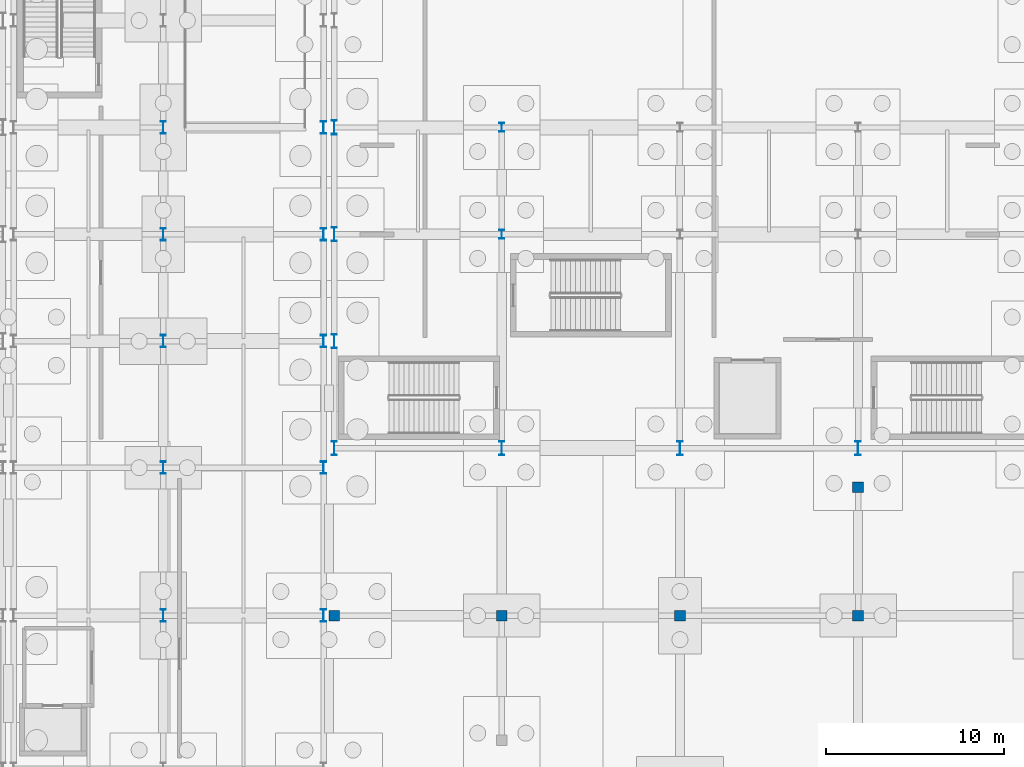
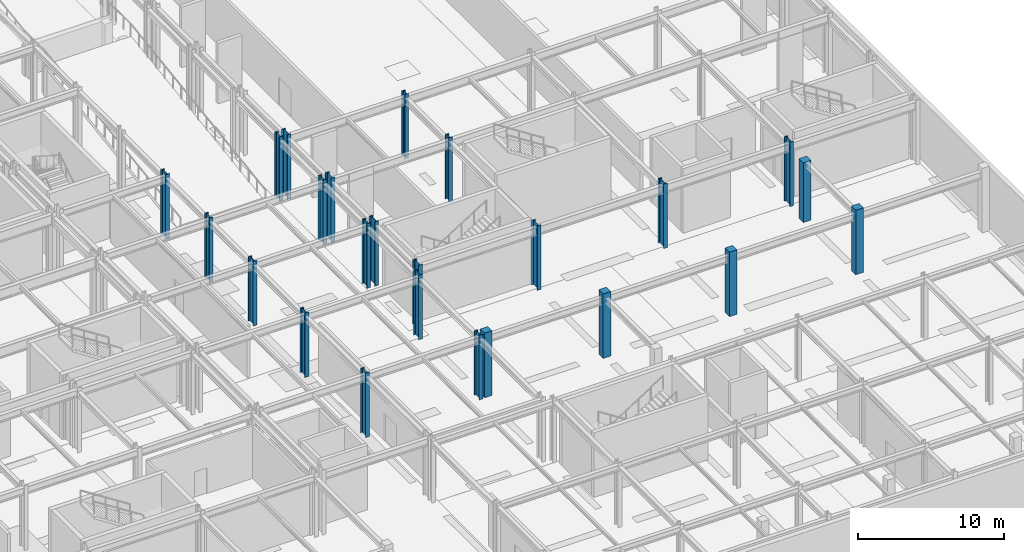
# One storey, part 28 of 65: 24 columns.
"""IFC4 building model written with IfcOpenShell, lengths in metres."""

from ifc_helpers import new_model, si_unit, direction, frame, origin, origin_2d, place, context, subcontext, project, spatial, rectangle, i_section, extrude, material, material_profile, profile_set, type_object, element, save


model = new_model("IFC4")

# Units and contexts
model_context = context("Model", 3, precision=1e-05, world=origin(), true_north=direction((0.0, 1.0)))
body_context = subcontext(model_context, "Body", "Model", "MODEL_VIEW")
ifc_project = project(units=[si_unit("LENGTHUNIT", "METRE"), si_unit("AREAUNIT", "SQUARE_METRE"), si_unit("VOLUMEUNIT", "CUBIC_METRE"), si_unit("PLANEANGLEUNIT", "RADIAN"), si_unit("MASSUNIT", "GRAM", prefix="KILO")], contexts=[model_context])

# Site, building, storey
site_placement = place(None, origin())
site = spatial("IfcSite", under=ifc_project, at=site_placement, CompositionType="ELEMENT")
building_placement = place(site_placement, origin())
building = spatial("IfcBuilding", under=site, at=building_placement, Name="Kaldris Quays Convention Centre", CompositionType="ELEMENT")
storey_placement = place(building_placement, frame((0.0, 0.0, -5.39990234375)))
storey = spatial("IfcBuildingStorey", under=building, at=storey_placement, Name="B1", CompositionType="ELEMENT", Elevation=-5.39990234375)

# Columns
ifc_material_1 = material(Name="Steel S355J2", Category="steel")
ifc_material_profile_1 = material_profile(ifc_material_1, i_section(OverallWidth=0.300048828125, OverallDepth=0.800048828125, WebThickness=0.017578125, FlangeThickness=0.032958984375, FilletRadius=0.030029296875, at=origin_2d()), Name="HEB 800")
ifc_profile_set_1 = profile_set([ifc_material_profile_1], Name="Steel S355J2")
column_type_1 = type_object("IfcColumnType", Name="STRUCTURAL COLUMN CL04", PredefinedType="COLUMN", material=ifc_profile_set_1)
for number, where, z_axis, x_axis, name in (
    (1, (164.60009765625, 56.0, 0.0), (0.0, 0.0, 1.0), (1.0, 0.0, 0.0), "B1 V2 Column CL04 (164.60, 56.00)"),
    (2, (164.60009765625, 62.0, 0.0), (0.0, 0.0, 1.0), (1.0, 0.0, 0.0), "B1 V2 Column CL04 (164.60, 62.00)"),
    (3, (164.60009765625, 68.0, 0.0), (0.0, 0.0, 1.0), (1.0, 0.0, 0.0), "B1 V2 Column CL04 (164.60, 68.00)"),
    (4, (164.60009765625, 74.0, 0.0), (0.0, 0.0, 1.0), (1.0, 0.0, 0.0), "B1 V2 Column CL04 (164.60, 74.00)"),
    (5, (174.0, 56.0, 0.0), (0.0, 0.0, 1.0), (1.0, 0.0, 0.0), "B1 V2 Column CL04 (174.00, 56.00)"),
    (6, (184.0, 56.0, 0.0), (0.0, 0.0, 1.0), (1.0, 0.0, 0.0), "B1 V2 Column CL04 (184.00, 56.00)"),
    (7, (194.0, 56.0, 0.0), (0.0, 0.0, 1.0), (1.0, 0.0, 0.0), "B1 V2 Column CL04 (194.00, 56.00)"),
):
    element("IfcColumn", number, at=place(storey_placement, frame(where, z_axis=z_axis, x_axis=x_axis)), inside=storey, type_object=column_type_1, Name=name, PredefinedType="COLUMN", context=body_context, shape_type="SweptSolid", body=[
        extrude(i_section(OverallWidth=0.300048828125, OverallDepth=0.800048828125, WebThickness=0.017578125, FlangeThickness=0.032958984375, FilletRadius=0.030029296875, at=origin_2d()), origin(), (0.0, 0.0, 1.0), 5.39990234375),
    ])
ifc_material_profile_2 = material_profile(ifc_material_1, i_section(OverallWidth=0.300048828125, OverallDepth=0.699951171875, WebThickness=0.01708984375, FlangeThickness=0.031982421875, FilletRadius=0.027099609375, at=origin_2d()), Name="HEB 700")
ifc_profile_set_2 = profile_set([ifc_material_profile_2], Name="Steel S355J2")
column_type_2 = type_object("IfcColumnType", Name="STRUCTURAL COLUMN CL05", PredefinedType="COLUMN", material=ifc_profile_set_2)
for number, where, z_axis, x_axis, name in (
    (8, (155.0, 46.60009765625, 0.0), (0.0, 0.0, 1.0), (1.0, 0.0, 0.0), "B1 V4 Column CL05 (155.00, 46.60)"),
    (9, (155.0, 54.89990234375, 0.0), (0.0, 0.0, 1.0), (1.0, 0.0, 0.0), "B1 V4 Column CL05 (155.00, 54.90)"),
    (10, (155.0, 62.0, 0.0), (0.0, 0.0, 1.0), (1.0, 0.0, 0.0), "B1 V4 Column CL05 (155.00, 62.00)"),
    (11, (155.0, 68.0, 0.0), (0.0, 0.0, 1.0), (1.0, 0.0, 0.0), "B1 V4 Column CL05 (155.00, 68.00)"),
    (12, (155.0, 74.0, 0.0), (0.0, 0.0, 1.0), (1.0, 0.0, 0.0), "B1 V4 Column CL05 (155.00, 74.00)"),
    (13, (164.0, 46.60009765625, 0.0), (0.0, 0.0, 1.0), (1.0, 0.0, 0.0), "B1 V4 Column CL05 (164.00, 46.60)"),
    (14, (164.0, 54.89990234375, 0.0), (0.0, 0.0, 1.0), (1.0, 0.0, 0.0), "B1 V4 Column CL05 (164.00, 54.90)"),
    (15, (164.0, 62.0, 0.0), (0.0, 0.0, 1.0), (1.0, 0.0, 0.0), "B1 V4 Column CL05 (164.00, 62.00)"),
    (16, (164.0, 68.0, 0.0), (0.0, 0.0, 1.0), (1.0, 0.0, 0.0), "B1 V4 Column CL05 (164.00, 68.00)"),
    (17, (164.0, 74.0, 0.0), (0.0, 0.0, 1.0), (1.0, 0.0, 0.0), "B1 V4 Column CL05 (164.00, 74.00)"),
):
    element("IfcColumn", number, at=place(storey_placement, frame(where, z_axis=z_axis, x_axis=x_axis)), inside=storey, type_object=column_type_2, Name=name, PredefinedType="COLUMN", context=body_context, shape_type="SweptSolid", body=[
        extrude(i_section(OverallWidth=0.300048828125, OverallDepth=0.699951171875, WebThickness=0.01708984375, FlangeThickness=0.031982421875, FilletRadius=0.027099609375, at=origin_2d()), origin(), (0.0, 0.0, 1.0), 5.39990234375),
    ])
ifc_material_profile_3 = material_profile(ifc_material_1, i_section(OverallWidth=0.300048828125, OverallDepth=0.5, WebThickness=0.014404296875, FlangeThickness=0.028076171875, FilletRadius=0.027099609375, at=origin_2d()), Name="HEB 500")
ifc_profile_set_3 = profile_set([ifc_material_profile_3], Name="Steel S355J2")
column_type_3 = type_object("IfcColumnType", Name="STRUCTURAL COLUMN CL07", PredefinedType="COLUMN", material=ifc_profile_set_3)
for number, where, z_axis, x_axis, name in (
    (18, (174.0, 68.0, 0.0), (0.0, 0.0, 1.0), (1.0, 0.0, 0.0), "B1 V2 Column CL07 (174.00, 68.00)"),
    (19, (174.0, 74.0, 0.0), (0.0, 0.0, 1.0), (1.0, 0.0, 0.0), "B1 V2 Column CL07 (174.00, 74.00)"),
):
    element("IfcColumn", number, at=place(storey_placement, frame(where, z_axis=z_axis, x_axis=x_axis)), inside=storey, type_object=column_type_3, Name=name, PredefinedType="COLUMN", context=body_context, shape_type="SweptSolid", body=[
        extrude(i_section(OverallWidth=0.300048828125, OverallDepth=0.5, WebThickness=0.014404296875, FlangeThickness=0.028076171875, FilletRadius=0.027099609375, at=origin_2d()), origin(), (0.0, 0.0, 1.0), 5.39990234375),
    ])
ifc_material_2 = material(Name="Concrete C40/50", Category="concrete")
ifc_material_profile_4 = material_profile(ifc_material_2, rectangle(XDim=0.60009765625, YDim=0.60009765625, at=origin_2d()), Name="RC 600x600")
ifc_profile_set_4 = profile_set([ifc_material_profile_4], Name="Concrete C40/50")
column_type_4 = type_object("IfcColumnType", Name="STRUCTURAL COLUMN CL15", PredefinedType="COLUMN", material=ifc_profile_set_4)
for number, where, z_axis, x_axis, name in (
    (20, (164.60009765625, 46.60009765625, 0.0), (0.0, 0.0, 1.0), (1.0, 0.0, 0.0), "B1 V4 Column CL15 (164.60, 46.60)"),
    (21, (174.0, 46.60009765625, 0.0), (0.0, 0.0, 1.0), (1.0, 0.0, 0.0), "B1 V4 Column CL15 (174.00, 46.60)"),
    (22, (184.0, 46.60009765625, 0.0), (0.0, 0.0, 1.0), (1.0, 0.0, 0.0), "B1 V4 Column CL15 (184.00, 46.60)"),
    (23, (194.0, 46.60009765625, 0.0), (0.0, 0.0, 1.0), (1.0, 0.0, 0.0), "B1 V4 Column CL15 (194.00, 46.60)"),
):
    element("IfcColumn", number, at=place(storey_placement, frame(where, z_axis=z_axis, x_axis=x_axis)), inside=storey, type_object=column_type_4, Name=name, PredefinedType="COLUMN", context=body_context, shape_type="SweptSolid", body=[
        extrude(rectangle(XDim=0.60009765625, YDim=0.60009765625, at=origin_2d()), origin(), (0.0, 0.0, 1.0), 5.39990234375),
    ])
column_placement = place(storey_placement, frame((194.0, 53.800048828125, 0.0), z_axis=(0.0, 0.0, 1.0), x_axis=(1.0, 0.0, 0.0)))
element("IfcColumn", 24, at=column_placement, inside=storey, type_object=column_type_4, Name="B1 V4_apron Column CL15 (194.00, 53.80)", PredefinedType="COLUMN", context=body_context, shape_type="SweptSolid", body=[
    extrude(rectangle(XDim=0.60009765625, YDim=0.60009765625, at=origin_2d()), origin(), (0.0, 0.0, 1.0), 5.0048828125),
])

save(model, "model.ifc")
